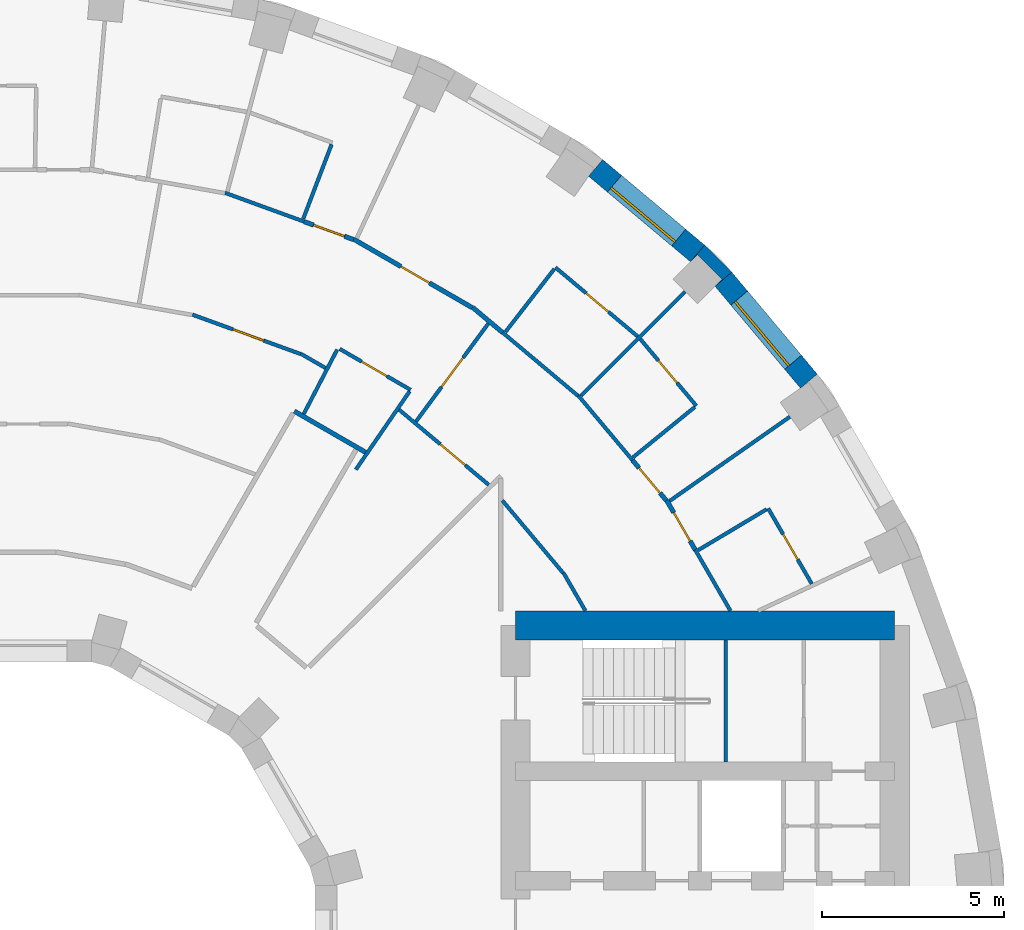
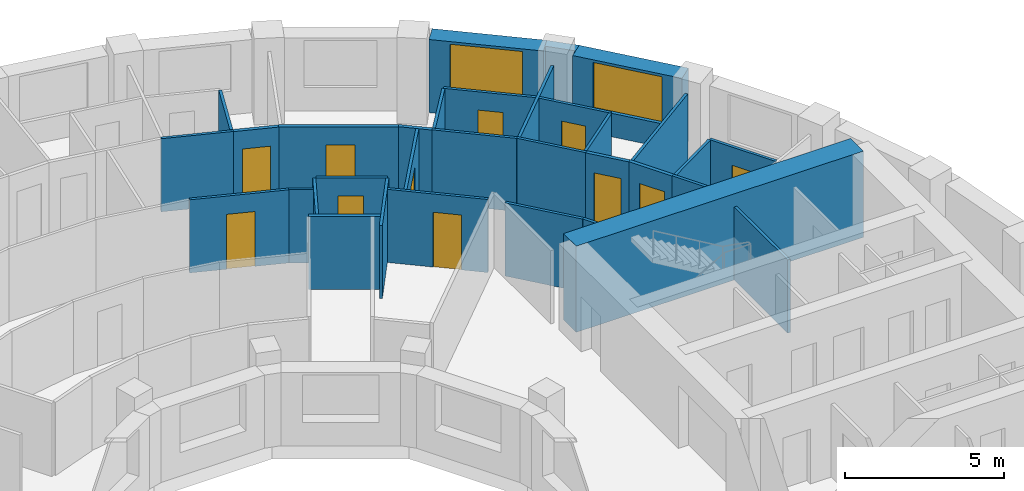
# One storey, part 12 of 14: 33 walls, 11 doors, 2 windows, 13 openings.
"""IFC4 building model written with IfcOpenShell, lengths in metres."""

from ifc_helpers import new_model, si_unit, direction, frame, frame_2d, origin, place, context, subcontext, project, spatial, polyline, rectangle, outline, extrude, material, layer, layer_set, type_object, element, fill, save


model = new_model("IFC4")

# Units and contexts
model_context = context("Model", 3, precision=1e-05, world=origin(), true_north=direction((0.0, 1.0)))
body_context = subcontext(model_context, "Body", "Model", "MODEL_VIEW")
ifc_project = project(units=[si_unit("LENGTHUNIT", "METRE"), si_unit("AREAUNIT", "SQUARE_METRE"), si_unit("VOLUMEUNIT", "CUBIC_METRE"), si_unit("PLANEANGLEUNIT", "RADIAN"), si_unit("MASSUNIT", "GRAM", prefix="KILO")], contexts=[model_context])

# Site, building, storey
site_placement = place(None, origin())
site = spatial("IfcSite", under=ifc_project, at=site_placement, CompositionType="ELEMENT")
building_placement = place(site_placement, origin())
building = spatial("IfcBuilding", under=site, at=building_placement, Name="Saqina Gate Tower", CompositionType="ELEMENT")
storey_placement = place(building_placement, frame((0.0, 0.0, 95.199951171875)))
storey = spatial("IfcBuildingStorey", under=building, at=storey_placement, Name="L26", CompositionType="ELEMENT", Elevation=95.199951171875)

# Wall
ifc_material_1 = material(Name="Brick masonry (buff)", Category="masonry")
wall_type_1 = type_object("IfcWallType", Name="BRICK PIER COPING BUFF", PredefinedType="SOLIDWALL", material=ifc_material_1)
wall_1_placement = place(storey_placement, origin())
element("IfcWall", 1, at=wall_1_placement, inside=storey, type_object=wall_type_1, Name="Pier cap L26 column 5", PredefinedType="SOLIDWALL", context=body_context, shape_type="SweptSolid", body=[
    extrude(outline(polyline([(19.43212890625, 18.686279296875), (18.686279296875, 19.43212890625), (18.30078125, 18.972412109375), (18.49072265625, 19.16259765625), (19.16259765625, 18.49072265625), (18.972412109375, 18.30078125), (19.43212890625, 18.686279296875)])), origin(), (0.0, 0.0, 1.0), 2.800048828125),
])

# Wall, opening, window
ifc_material_2 = material(Name="Brick masonry (buff)", Category="masonry")
ifc_layer_1 = layer(ifc_material_2, 0.60009765625)
ifc_layer_set_1 = layer_set([ifc_layer_1], Name="FW-BRICK-BUFF")
wall_type_2 = type_object("IfcWallType", Name="FW-BRICK-BUFF", PredefinedType="SOLIDWALL", material=ifc_layer_set_1)
wall_2_placement = place(storey_placement, frame((21.547119140625, 15.69921875, 0.0), z_axis=(0.0, 0.0, 1.0), x_axis=(-0.642774476932, 0.766055462616, 0.0)))
wall_2 = element("IfcWall", 2, at=wall_2_placement, inside=storey, type_object=wall_type_2, Name="Facade wall L26 facet 4", PredefinedType="SOLIDWALL", context=body_context, shape_type="SweptSolid", body=[
    extrude(rectangle(XDim=3.647705078125, YDim=0.60009765625, at=frame_2d((1.82373046875, 0.0))), origin(), (0.0, 0.0, 1.0), 2.800048828125),
])
opening_1_placement = place(wall_2_placement, frame((0.673828125, 0.0, 0.89990234375)))
opening_1 = element("IfcOpeningElement", 3, at=opening_1_placement, cuts=wall_2, Name="Opening G07-W02", PredefinedType="OPENING", context=body_context, shape_type="SweptSolid", body=[
    extrude(rectangle(XDim=2.300048828125, YDim=1.800048828125, at=frame_2d((1.14990234375, 0.89990234375))), frame((0.0, 0.31201171875, 0.0), z_axis=(0.0, -1.0, 0.0), x_axis=(1.0, 0.0, 0.0)), (0.0, 0.0, 1.0), 0.6240234375),
])
ifc_material_3 = material(Name="Aluminium glazing", Category="aluminium")
window_type = type_object("IfcWindowType", Name="WN-B", PartitioningType="SINGLE_PANEL", PredefinedType="WINDOW", material=ifc_material_3)
window_1_placement = place(opening_1_placement, origin())
window_1 = element("IfcWindow", 4, at=window_1_placement, inside=storey, type_object=window_type, Name="Window L26 facet 4", OverallHeight=1.800048828125, OverallWidth=2.300048828125, PartitioningType="SINGLE_PANEL", PredefinedType="WINDOW", context=body_context, shape_type="SweptSolid", body=[
    extrude(rectangle(XDim=2.300048828125, YDim=1.800048828125, at=frame_2d((1.14990234375, 0.89990234375))), frame((0.0, 0.179931640625, 0.0), z_axis=(0.0, -1.0, 0.0), x_axis=(1.0, 0.0, 0.0)), (0.0, 0.0, 1.0), 0.06005859375),
])
fill(opening_1, window_1)

wall_3_placement = place(storey_placement, frame((18.49365234375, 19.202392578125, 0.0), z_axis=(0.0, 0.0, 1.0), x_axis=(-0.766055462616, 0.642774476932, 0.0)))
wall_3 = element("IfcWall", 5, at=wall_3_placement, inside=storey, type_object=wall_type_2, Name="Facade wall L26 facet 5", PredefinedType="SOLIDWALL", context=body_context, shape_type="SweptSolid", body=[
    extrude(rectangle(XDim=3.647705078125, YDim=0.60009765625, at=frame_2d((1.82373046875, 0.0))), origin(), (0.0, 0.0, 1.0), 2.800048828125),
])
opening_2_placement = place(wall_3_placement, frame((0.673828125, 0.0, 0.89990234375)))
opening_2 = element("IfcOpeningElement", 6, at=opening_2_placement, cuts=wall_3, Name="Opening G07-W03", PredefinedType="OPENING", context=body_context, shape_type="SweptSolid", body=[
    extrude(rectangle(XDim=2.300048828125, YDim=1.800048828125, at=frame_2d((1.14990234375, 0.89990234375))), frame((0.0, 0.31201171875, 0.0), z_axis=(0.0, -1.0, 0.0), x_axis=(1.0, 0.0, 0.0)), (0.0, 0.0, 1.0), 0.6240234375),
])
window_2_placement = place(opening_2_placement, origin())
window_2 = element("IfcWindow", 7, at=window_2_placement, inside=storey, type_object=window_type, Name="Window L26 facet 5", OverallHeight=1.800048828125, OverallWidth=2.300048828125, PartitioningType="SINGLE_PANEL", PredefinedType="WINDOW", context=body_context, shape_type="SweptSolid", body=[
    extrude(rectangle(XDim=2.300048828125, YDim=1.800048828125, at=frame_2d((1.14990234375, 0.89990234375))), frame((0.0, 0.179931640625, 0.0), z_axis=(0.0, -1.0, 0.0), x_axis=(1.0, 0.0, 0.0)), (0.0, 0.0, 1.0), 0.06005859375),
])
fill(opening_2, window_2)

# Walls
ifc_material_4 = material(Name="Gypsum board on steel studs, 100 mm", Category="steel")
ifc_layer_2 = layer(ifc_material_4, 0.10009765625)
ifc_layer_set_2 = layer_set([ifc_layer_2], Name="PARTITION 100")
wall_type_3 = type_object("IfcWallType", Name="PARTITION 100", PredefinedType="PARTITIONING", material=ifc_layer_set_2)
wall_4_placement = place(storey_placement, frame((14.818603515625, 10.43798828125, 0.0), z_axis=(0.0, 0.0, 1.0), x_axis=(0.500016292001, -0.866015997389, 0.0)))
element("IfcWall", 8, at=wall_4_placement, inside=storey, type_object=wall_type_3, Name="PARTITION PW3-11", PredefinedType="PARTITIONING", context=body_context, shape_type="SweptSolid", body=[
    extrude(rectangle(XDim=1.19873046875, YDim=0.10009765625, at=frame_2d((0.599365234375, 0.0))), origin(), (0.0, 0.0, 1.0), 2.800048828125),
])
wall_5_placement = place(storey_placement, frame((18.429931640625, 11.072265625, 0.0), z_axis=(0.0, 0.0, 1.0), x_axis=(0.500203884267, -0.865907659144, 0.0)))
element("IfcWall", 9, at=wall_5_placement, inside=storey, type_object=wall_type_3, Name="PARTITION PW3-12", PredefinedType="PARTITIONING", context=body_context, shape_type="SweptSolid", body=[
    extrude(rectangle(XDim=1.931396484375, YDim=0.10009765625, at=frame_2d((0.9658203125, 0.0))), origin(), (0.0, 0.0, 1.0), 2.800048828125),
])

# Wall, opening, door
wall_6_placement = place(storey_placement, frame((20.429931640625, 12.208984375, 0.0), z_axis=(0.0, 0.0, 1.0), x_axis=(0.500061428766, -0.865989934965, 0.0)))
wall_6 = element("IfcWall", 10, at=wall_6_placement, inside=storey, type_object=wall_type_3, Name="PARTITION PW3-13", PredefinedType="PARTITIONING", context=body_context, shape_type="SweptSolid", body=[
    extrude(rectangle(XDim=2.389892578125, YDim=0.10009765625, at=frame_2d((1.19482421875, 0.0))), origin(), (0.0, 0.0, 1.0), 2.800048828125),
])
opening_3_placement = place(wall_6_placement, frame((0.820068359375, 0.0, 0.0)))
opening_3 = element("IfcOpeningElement", 11, at=opening_3_placement, cuts=wall_6, Name="Opening G07-D01", PredefinedType="OPENING", context=body_context, shape_type="SweptSolid", body=[
    extrude(rectangle(XDim=0.800048828125, YDim=2.10009765625, at=frame_2d((0.39990234375, 1.050048828125))), frame((0.0, 0.06201171875, 0.0), z_axis=(0.0, -1.0, 0.0), x_axis=(1.0, 0.0, 0.0)), (0.0, 0.0, 1.0), 0.1240234375),
])
ifc_material_5 = material(Name="Timber door leaf, 800 mm", Category="wood")
door_type_1 = type_object("IfcDoorType", Name="DOOR 800 TIMBER", OperationType="SINGLE_SWING_LEFT", PredefinedType="DOOR", material=ifc_material_5)
door_1_placement = place(opening_3_placement, origin())
door_1 = element("IfcDoor", 12, at=door_1_placement, inside=storey, type_object=door_type_1, Name="DOOR G07-D01", OperationType="SINGLE_SWING_RIGHT", OverallHeight=2.10009765625, OverallWidth=0.800048828125, PredefinedType="DOOR", context=body_context, shape_type="SweptSolid", body=[
    extrude(rectangle(XDim=0.800048828125, YDim=2.10009765625, at=frame_2d((0.39990234375, 1.050048828125))), frame((0.0, 0.02490234375, 0.0), z_axis=(0.0, -1.0, 0.0), x_axis=(1.0, 0.0, 0.0)), (0.0, 0.0, 1.0), 0.050048828125),
])
fill(opening_3, door_1)

# Walls
wall_7_placement = place(storey_placement, frame((13.14013671875, 12.425048828125, 0.0), z_axis=(0.0, 0.0, 1.0), x_axis=(0.642692247105, -0.766124451712, 0.0)))
element("IfcWall", 13, at=wall_7_placement, inside=storey, type_object=wall_type_3, Name="PARTITION PW3-19", PredefinedType="PARTITIONING", context=body_context, shape_type="SweptSolid", body=[
    extrude(rectangle(XDim=2.60107421875, YDim=0.10009765625, at=frame_2d((1.300537109375, 0.0))), origin(), (0.0, 0.0, 1.0), 2.800048828125),
])
wall_8_placement = place(storey_placement, frame((15.2255859375, 15.298828125, 0.0), z_axis=(0.0, 0.0, 1.0), x_axis=(0.642762571273, -0.766065452145, 0.0)))
element("IfcWall", 14, at=wall_8_placement, inside=storey, type_object=wall_type_3, Name="PARTITION PW3-20", PredefinedType="PARTITIONING", context=body_context, shape_type="SweptSolid", body=[
    extrude(rectangle(XDim=2.306640625, YDim=0.10009765625, at=frame_2d((1.1533203125, 0.0))), origin(), (0.0, 0.0, 1.0), 2.800048828125),
])

# Wall, opening, door
wall_9_placement = place(storey_placement, frame((16.923095703125, 16.852783203125, 0.0), z_axis=(0.0, 0.0, 1.0), x_axis=(0.642942941421, -0.765914077477, 0.0)))
wall_9 = element("IfcWall", 15, at=wall_9_placement, inside=storey, type_object=wall_type_3, Name="PARTITION PW3-21", PredefinedType="PARTITIONING", context=body_context, shape_type="SweptSolid", body=[
    extrude(rectangle(XDim=2.390380859375, YDim=0.10009765625, at=frame_2d((1.1953125, 0.0))), origin(), (0.0, 0.0, 1.0), 2.800048828125),
])
opening_4_placement = place(wall_9_placement, frame((0.77001953125, 0.0, 0.0)))
opening_4 = element("IfcOpeningElement", 16, at=opening_4_placement, cuts=wall_9, Name="Opening G07-D04", PredefinedType="OPENING", context=body_context, shape_type="SweptSolid", body=[
    extrude(rectangle(XDim=0.800048828125, YDim=2.10009765625, at=frame_2d((0.39990234375, 1.050048828125))), frame((0.0, 0.06201171875, 0.0), z_axis=(0.0, -1.0, 0.0), x_axis=(1.0, 0.0, 0.0)), (0.0, 0.0, 1.0), 0.1240234375),
])
door_2_placement = place(opening_4_placement, origin())
door_2 = element("IfcDoor", 17, at=door_2_placement, inside=storey, type_object=door_type_1, Name="DOOR G07-D04", OperationType="SINGLE_SWING_LEFT", OverallHeight=2.10009765625, OverallWidth=0.800048828125, PredefinedType="DOOR", context=body_context, shape_type="SweptSolid", body=[
    extrude(rectangle(XDim=0.800048828125, YDim=2.10009765625, at=frame_2d((0.39990234375, 1.050048828125))), frame((0.0, 0.02490234375, 0.0), z_axis=(0.0, -1.0, 0.0), x_axis=(1.0, 0.0, 0.0)), (0.0, 0.0, 1.0), 0.050048828125),
])
fill(opening_4, door_2)

wall_10_placement = place(storey_placement, frame((10.310791015625, 14.91357421875, 0.0), z_axis=(0.0, 0.0, 1.0), x_axis=(0.766187913062, -0.642616590104, 0.0)))
wall_10 = element("IfcWall", 18, at=wall_10_placement, inside=storey, type_object=wall_type_3, Name="PARTITION PW3-26", PredefinedType="PARTITIONING", context=body_context, shape_type="SweptSolid", body=[
    extrude(rectangle(XDim=3.20458984375, YDim=0.10009765625, at=frame_2d((1.602294921875, 0.0))), origin(), (0.0, 0.0, 1.0), 2.800048828125),
])
opening_5_placement = place(wall_10_placement, frame((1.465576171875, 0.0, 0.0)))
opening_5 = element("IfcOpeningElement", 19, at=opening_5_placement, cuts=wall_10, Name="Opening G07-D06", PredefinedType="OPENING", context=body_context, shape_type="SweptSolid", body=[
    extrude(rectangle(XDim=0.89990234375, YDim=2.10009765625, at=frame_2d((0.449951171875, 1.050048828125))), frame((0.0, 0.06201171875, 0.0), z_axis=(0.0, -1.0, 0.0), x_axis=(1.0, 0.0, 0.0)), (0.0, 0.0, 1.0), 0.1240234375),
])
ifc_material_6 = material(Name="Timber door leaf, 900 mm", Category="wood")
door_type_2 = type_object("IfcDoorType", Name="DOOR 900 TIMBER", OperationType="SINGLE_SWING_LEFT", PredefinedType="DOOR", material=ifc_material_6)
door_3_placement = place(opening_5_placement, origin())
door_3 = element("IfcDoor", 20, at=door_3_placement, inside=storey, type_object=door_type_2, Name="DOOR G07-D06", OperationType="SINGLE_SWING_RIGHT", OverallHeight=2.10009765625, OverallWidth=0.89990234375, PredefinedType="DOOR", context=body_context, shape_type="SweptSolid", body=[
    extrude(rectangle(XDim=0.89990234375, YDim=2.10009765625, at=frame_2d((0.449951171875, 1.050048828125))), frame((0.0, 0.02490234375, 0.0), z_axis=(0.0, -1.0, 0.0), x_axis=(1.0, 0.0, 0.0)), (0.0, 0.0, 1.0), 0.050048828125),
])
fill(opening_5, door_3)

# Wall
wall_11_placement = place(storey_placement, frame((13.148681640625, 17.030029296875, 0.0), z_axis=(0.0, 0.0, 1.0), x_axis=(0.766003631775, -0.642836243617, 0.0)))
element("IfcWall", 21, at=wall_11_placement, inside=storey, type_object=wall_type_3, Name="PARTITION PW3-27", PredefinedType="PARTITIONING", context=body_context, shape_type="SweptSolid", body=[
    extrude(rectangle(XDim=2.70361328125, YDim=0.10009765625, at=frame_2d((1.351806640625, 0.0))), origin(), (0.0, 0.0, 1.0), 2.800048828125),
])

# Wall, opening, door
wall_12_placement = place(storey_placement, frame((14.596923828125, 18.81591796875, 0.0), z_axis=(0.0, 0.0, 1.0), x_axis=(0.766055897741, -0.642773958353, 0.0)))
wall_12 = element("IfcWall", 22, at=wall_12_placement, inside=storey, type_object=wall_type_3, Name="PARTITION PW3-28", PredefinedType="PARTITIONING", context=body_context, shape_type="SweptSolid", body=[
    extrude(rectangle(XDim=2.94482421875, YDim=0.10009765625, at=frame_2d((1.472412109375, 0.0))), origin(), (0.0, 0.0, 1.0), 2.800048828125),
])
opening_6_placement = place(wall_12_placement, frame((1.097412109375, 0.0, 0.0)))
opening_6 = element("IfcOpeningElement", 23, at=opening_6_placement, cuts=wall_12, Name="Opening G07-D05", PredefinedType="OPENING", context=body_context, shape_type="SweptSolid", body=[
    extrude(rectangle(XDim=0.800048828125, YDim=2.10009765625, at=frame_2d((0.39990234375, 1.050048828125))), frame((0.0, 0.06201171875, 0.0), z_axis=(0.0, -1.0, 0.0), x_axis=(1.0, 0.0, 0.0)), (0.0, 0.0, 1.0), 0.1240234375),
])
door_4_placement = place(opening_6_placement, origin())
door_4 = element("IfcDoor", 24, at=door_4_placement, inside=storey, type_object=door_type_1, Name="DOOR G07-D05", OperationType="SINGLE_SWING_RIGHT", OverallHeight=2.10009765625, OverallWidth=0.800048828125, PredefinedType="DOOR", context=body_context, shape_type="SweptSolid", body=[
    extrude(rectangle(XDim=0.800048828125, YDim=2.10009765625, at=frame_2d((0.39990234375, 1.050048828125))), frame((0.0, 0.02490234375, 0.0), z_axis=(0.0, -1.0, 0.0), x_axis=(1.0, 0.0, 0.0)), (0.0, 0.0, 1.0), 0.050048828125),
])
fill(opening_6, door_4)

# Wall
wall_13_placement = place(storey_placement, frame((7.61376953125, 16.448974609375, 0.0), z_axis=(0.0, 0.0, 1.0), x_axis=(0.866201164306, -0.499695450205, 0.0)))
element("IfcWall", 25, at=wall_13_placement, inside=storey, type_object=wall_type_3, Name="PARTITION PW3-34", PredefinedType="PARTITIONING", context=body_context, shape_type="SweptSolid", body=[
    extrude(rectangle(XDim=0.78271484375, YDim=0.10009765625, at=frame_2d((0.391357421875, 0.0))), origin(), (0.0, 0.0, 1.0), 2.800048828125),
])

# Wall, opening, door
wall_14_placement = place(storey_placement, frame((8.678955078125, 16.58203125, 0.0), z_axis=(0.0, 0.0, 1.0), x_axis=(0.866122264928, -0.499832194037, 0.0)))
wall_14 = element("IfcWall", 26, at=wall_14_placement, inside=storey, type_object=wall_type_3, Name="PARTITION PW3-35", PredefinedType="PARTITIONING", context=body_context, shape_type="SweptSolid", body=[
    extrude(rectangle(XDim=2.246826171875, YDim=0.10009765625, at=frame_2d((1.12353515625, 0.0))), origin(), (0.0, 0.0, 1.0), 2.800048828125),
])
opening_7_placement = place(wall_14_placement, frame((0.697509765625, 0.0, 0.0)))
opening_7 = element("IfcOpeningElement", 27, at=opening_7_placement, cuts=wall_14, Name="Opening G07-D08", PredefinedType="OPENING", context=body_context, shape_type="SweptSolid", body=[
    extrude(rectangle(XDim=0.800048828125, YDim=2.10009765625, at=frame_2d((0.39990234375, 1.050048828125))), frame((0.0, 0.06201171875, 0.0), z_axis=(0.0, -1.0, 0.0), x_axis=(1.0, 0.0, 0.0)), (0.0, 0.0, 1.0), 0.1240234375),
])
door_5_placement = place(opening_7_placement, origin())
door_5 = element("IfcDoor", 28, at=door_5_placement, inside=storey, type_object=door_type_1, Name="DOOR G07-D08", OperationType="SINGLE_SWING_LEFT", OverallHeight=2.10009765625, OverallWidth=0.800048828125, PredefinedType="DOOR", context=body_context, shape_type="SweptSolid", body=[
    extrude(rectangle(XDim=0.800048828125, YDim=2.10009765625, at=frame_2d((0.39990234375, 1.050048828125))), frame((0.0, 0.02490234375, 0.0), z_axis=(0.0, -1.0, 0.0), x_axis=(1.0, 0.0, 0.0)), (0.0, 0.0, 1.0), 0.050048828125),
])
fill(opening_7, door_5)

wall_15_placement = place(storey_placement, frame((4.642333984375, 17.521240234375, 0.0), z_axis=(0.0, 0.0, 1.0), x_axis=(0.939739258447, -0.341891980211, 0.0)))
wall_15 = element("IfcWall", 29, at=wall_15_placement, inside=storey, type_object=wall_type_3, Name="PARTITION PW3-40", PredefinedType="PARTITIONING", context=body_context, shape_type="SweptSolid", body=[
    extrude(rectangle(XDim=3.1591796875, YDim=0.10009765625, at=frame_2d((1.57958984375, 0.0))), origin(), (0.0, 0.0, 1.0), 2.800048828125),
])
opening_8_placement = place(wall_15_placement, frame((1.179931640625, 0.0, 0.0)))
opening_8 = element("IfcOpeningElement", 30, at=opening_8_placement, cuts=wall_15, Name="Opening G07-D11", PredefinedType="OPENING", context=body_context, shape_type="SweptSolid", body=[
    extrude(rectangle(XDim=0.89990234375, YDim=2.10009765625, at=frame_2d((0.449951171875, 1.050048828125))), frame((0.0, 0.06201171875, 0.0), z_axis=(0.0, -1.0, 0.0), x_axis=(1.0, 0.0, 0.0)), (0.0, 0.0, 1.0), 0.1240234375),
])
door_6_placement = place(opening_8_placement, frame((0.89990234375, 0.0, 0.0), z_axis=(0.0, 0.0, 1.0), x_axis=(-1.0, 0.0, 0.0)))
door_6 = element("IfcDoor", 31, at=door_6_placement, inside=storey, type_object=door_type_2, Name="DOOR G07-D11", OperationType="SINGLE_SWING_LEFT", OverallHeight=2.10009765625, OverallWidth=0.89990234375, PredefinedType="DOOR", context=body_context, shape_type="SweptSolid", body=[
    extrude(rectangle(XDim=0.89990234375, YDim=2.10009765625, at=frame_2d((0.449951171875, 1.050048828125))), frame((0.0, 0.02490234375, 0.0), z_axis=(0.0, -1.0, 0.0), x_axis=(1.0, 0.0, 0.0)), (0.0, 0.0, 1.0), 0.050048828125),
])
fill(opening_8, door_6)

# Walls
wall_16_placement = place(storey_placement, frame((5.537353515625, 20.861328125, 0.0), z_axis=(0.0, 0.0, 1.0), x_axis=(0.939734670151, -0.34190459154, 0.0)))
element("IfcWall", 32, at=wall_16_placement, inside=storey, type_object=wall_type_3, Name="PARTITION PW3-41", PredefinedType="PARTITIONING", context=body_context, shape_type="SweptSolid", body=[
    extrude(rectangle(XDim=2.3056640625, YDim=0.10009765625, at=frame_2d((1.15283203125, 0.0))), origin(), (0.0, 0.0, 1.0), 2.800048828125),
])
wall_17_placement = place(storey_placement, frame((18.508544921875, 11.06103515625, 0.0), z_axis=(0.0, 0.0, 1.0), x_axis=(0.85844638645, 0.512903306279, 0.0)))
element("IfcWall", 33, at=wall_17_placement, inside=storey, type_object=wall_type_3, Name="PARTITION PW3-74", PredefinedType="PARTITIONING", context=body_context, shape_type="SweptSolid", body=[
    extrude(rectangle(XDim=2.188232421875, YDim=0.10009765625, at=frame_2d((1.09423828125, 0.0))), origin(), (0.0, 0.0, 1.0), 2.800048828125),
])
wall_18_placement = place(storey_placement, frame((17.728271484375, 12.412841796875, 0.0), z_axis=(0.0, 0.0, 1.0), x_axis=(0.819106461113, 0.573641530368, 0.0)))
element("IfcWall", 34, at=wall_18_placement, inside=storey, type_object=wall_type_3, Name="PARTITION PW3-75", PredefinedType="PARTITIONING", context=body_context, shape_type="SweptSolid", body=[
    extrude(rectangle(XDim=4.023193359375, YDim=0.10009765625, at=frame_2d((2.01171875, 0.0))), origin(), (0.0, 0.0, 1.0), 2.800048828125),
])
wall_19_placement = place(storey_placement, frame((16.724365234375, 13.609375, 0.0), z_axis=(0.0, 0.0, 1.0), x_axis=(0.77556073315, 0.631272959342, 0.0)))
element("IfcWall", 35, at=wall_19_placement, inside=storey, type_object=wall_type_3, Name="PARTITION PW3-77", PredefinedType="PARTITIONING", context=body_context, shape_type="SweptSolid", body=[
    extrude(rectangle(XDim=2.187744140625, YDim=0.10009765625, at=frame_2d((1.09375, 0.0))), origin(), (0.0, 0.0, 1.0), 2.800048828125),
])
wall_20_placement = place(storey_placement, frame((15.29443359375, 15.29443359375, 0.0), z_axis=(0.0, 0.0, 1.0), x_axis=(0.707106781187, 0.707106781187, 0.0)))
element("IfcWall", 36, at=wall_20_placement, inside=storey, type_object=wall_type_3, Name="PARTITION PW3-80", PredefinedType="PARTITIONING", context=body_context, shape_type="SweptSolid", body=[
    extrude(rectangle(XDim=4.035400390625, YDim=0.10009765625, at=frame_2d((2.017578125, 0.0))), origin(), (0.0, 0.0, 1.0), 2.800048828125),
])
wall_21_placement = place(storey_placement, frame((13.225341796875, 17.04736328125, 0.0), z_axis=(0.0, 0.0, 1.0), x_axis=(0.612827784587, 0.790216493398, 0.0)))
element("IfcWall", 37, at=wall_21_placement, inside=storey, type_object=wall_type_3, Name="PARTITION PW3-83", PredefinedType="PARTITIONING", context=body_context, shape_type="SweptSolid", body=[
    extrude(rectangle(XDim=2.188232421875, YDim=0.10009765625, at=frame_2d((1.09423828125, 0.0))), origin(), (0.0, 0.0, 1.0), 2.800048828125),
])

# Wall, opening, door
wall_22_placement = place(storey_placement, frame((10.772705078125, 14.59130859375, 0.0), z_axis=(0.0, 0.0, 1.0), x_axis=(0.593899624956, 0.804539144776, 0.0)))
wall_22 = element("IfcWall", 38, at=wall_22_placement, inside=storey, type_object=wall_type_3, Name="PARTITION PW3-84", PredefinedType="PARTITIONING", context=body_context, shape_type="SweptSolid", body=[
    extrude(rectangle(XDim=3.339111328125, YDim=0.10009765625, at=frame_2d((1.66943359375, 0.0))), origin(), (0.0, 0.0, 1.0), 2.800048828125),
])
opening_9_placement = place(wall_22_placement, frame((1.17578125, 0.0, 0.0)))
opening_9 = element("IfcOpeningElement", 39, at=opening_9_placement, cuts=wall_22, Name="Opening G07-D07", PredefinedType="OPENING", context=body_context, shape_type="SweptSolid", body=[
    extrude(rectangle(XDim=1.0, YDim=2.10009765625, at=frame_2d((0.5, 1.050048828125))), frame((0.0, 0.06201171875, 0.0), z_axis=(0.0, -1.0, 0.0), x_axis=(1.0, 0.0, 0.0)), (0.0, 0.0, 1.0), 0.1240234375),
])
ifc_material_7 = material(Name="Timber door leaf, 1000 mm", Category="wood")
door_type_3 = type_object("IfcDoorType", Name="DOOR 1000 TIMBER", OperationType="SINGLE_SWING_LEFT", PredefinedType="DOOR", material=ifc_material_7)
door_7_placement = place(opening_9_placement, frame((1.0, 0.0, 0.0), z_axis=(0.0, 0.0, 1.0), x_axis=(-1.0, 0.0, 0.0)))
door_7 = element("IfcDoor", 40, at=door_7_placement, inside=storey, type_object=door_type_3, Name="DOOR G07-D07", OperationType="SINGLE_SWING_LEFT", OverallHeight=2.10009765625, OverallWidth=1.0, PredefinedType="DOOR", context=body_context, shape_type="SweptSolid", body=[
    extrude(rectangle(XDim=1.0, YDim=2.10009765625, at=frame_2d((0.5, 1.050048828125))), frame((0.0, 0.02490234375, 0.0), z_axis=(0.0, -1.0, 0.0), x_axis=(1.0, 0.0, 0.0)), (0.0, 0.0, 1.0), 0.050048828125),
])
fill(opening_9, door_7)

# Walls
wall_23_placement = place(storey_placement, frame((9.122314453125, 13.2724609375, 0.0), z_axis=(0.0, 0.0, 1.0), x_axis=(0.566405338298, 0.82412680623, 0.0)))
element("IfcWall", 41, at=wall_23_placement, inside=storey, type_object=wall_type_3, Name="PARTITION PW3-86", PredefinedType="PARTITIONING", context=body_context, shape_type="SweptSolid", body=[
    extrude(rectangle(XDim=2.601318359375, YDim=0.10009765625, at=frame_2d((1.30078125, 0.0))), origin(), (0.0, 0.0, 1.0), 2.800048828125),
])
wall_24_placement = place(storey_placement, frame((7.6943359375, 14.799560546875, 0.0), z_axis=(0.0, 0.0, 1.0), x_axis=(0.461012435149, 0.887393675117, 0.0)))
element("IfcWall", 42, at=wall_24_placement, inside=storey, type_object=wall_type_3, Name="PARTITION PW3-89", PredefinedType="PARTITIONING", context=body_context, shape_type="SweptSolid", body=[
    extrude(rectangle(XDim=1.988037109375, YDim=0.10009765625, at=frame_2d((0.994140625, 0.0))), origin(), (0.0, 0.0, 1.0), 2.800048828125),
])
wall_25_placement = place(storey_placement, frame((7.679443359375, 20.14892578125, 0.0), z_axis=(0.0, 0.0, 1.0), x_axis=(0.356134598474, 0.93443466747, 0.0)))
element("IfcWall", 43, at=wall_25_placement, inside=storey, type_object=wall_type_3, Name="PARTITION PW3-93", PredefinedType="PARTITIONING", context=body_context, shape_type="SweptSolid", body=[
    extrude(rectangle(XDim=2.186767578125, YDim=0.10009765625, at=frame_2d((1.09326171875, 0.0))), origin(), (0.0, 0.0, 1.0), 2.800048828125),
])

# Wall, opening, door
ifc_material_8 = material(Name="Gypsum board on steel studs, 125 mm, fire rated", Category="steel")
ifc_layer_3 = layer(ifc_material_8, 0.125)
ifc_layer_set_3 = layer_set([ifc_layer_3], Name="PARTITION EI 30 125")
wall_type_4 = type_object("IfcWallType", Name="PARTITION EI 30 125", PredefinedType="PARTITIONING", material=ifc_layer_set_3)
wall_26_placement = place(storey_placement, frame((17.645263671875, 12.431884765625, 0.0), z_axis=(0.0, 0.0, 1.0), x_axis=(0.499852597388, -0.866110489998, 0.0)))
wall_26 = element("IfcWall", 44, at=wall_26_placement, inside=storey, type_object=wall_type_4, Name="PARTITION PW1-05", PredefinedType="PARTITIONING", context=body_context, shape_type="SweptSolid", body=[
    extrude(rectangle(XDim=1.56982421875, YDim=0.125, at=frame_2d((0.784912109375, 0.0))), origin(), (0.0, 0.0, 1.0), 2.800048828125),
])
opening_10_placement = place(wall_26_placement, frame((0.3916015625, 0.0, 0.0)))
opening_10 = element("IfcOpeningElement", 45, at=opening_10_placement, cuts=wall_26, Name="Opening G07-D02", PredefinedType="OPENING", context=body_context, shape_type="SweptSolid", body=[
    extrude(rectangle(XDim=0.89990234375, YDim=2.10009765625, at=frame_2d((0.449951171875, 1.050048828125))), frame((0.0, 0.074462890625, 0.0), z_axis=(0.0, -1.0, 0.0), x_axis=(1.0, 0.0, 0.0)), (0.0, 0.0, 1.0), 0.14892578125),
])
ifc_material_9 = material(Name="Fire door leaf EI 30, 900 mm")
door_type_4 = type_object("IfcDoorType", Name="DOOR 900 EI 30", OperationType="SINGLE_SWING_LEFT", PredefinedType="DOOR", material=ifc_material_9)
door_8_placement = place(opening_10_placement, frame((0.89990234375, 0.0, 0.0), z_axis=(0.0, 0.0, 1.0), x_axis=(-1.0, 0.0, 0.0)))
door_8 = element("IfcDoor", 46, at=door_8_placement, inside=storey, type_object=door_type_4, Name="DOOR G07-D02", OperationType="SINGLE_SWING_RIGHT", OverallHeight=2.10009765625, OverallWidth=0.89990234375, PredefinedType="DOOR", context=body_context, shape_type="SweptSolid", body=[
    extrude(rectangle(XDim=0.89990234375, YDim=2.10009765625, at=frame_2d((0.449951171875, 1.050048828125))), frame((0.0, 0.02490234375, 0.0), z_axis=(0.0, -1.0, 0.0), x_axis=(1.0, 0.0, 0.0)), (0.0, 0.0, 1.0), 0.050048828125),
])
fill(opening_10, door_8)

wall_27_placement = place(storey_placement, frame((16.708251953125, 13.53173828125, 0.0), z_axis=(0.0, 0.0, 1.0), x_axis=(0.642641061866, -0.766167387458, 0.0)))
wall_27 = element("IfcWall", 47, at=wall_27_placement, inside=storey, type_object=wall_type_4, Name="PARTITION PW1-08", PredefinedType="PARTITIONING", context=body_context, shape_type="SweptSolid", body=[
    extrude(rectangle(XDim=1.44482421875, YDim=0.125, at=frame_2d((0.722412109375, 0.0))), origin(), (0.0, 0.0, 1.0), 2.800048828125),
])
opening_11_placement = place(wall_27_placement, frame((0.27880859375, 0.0, 0.0)))
opening_11 = element("IfcOpeningElement", 48, at=opening_11_placement, cuts=wall_27, Name="Opening G07-D03", PredefinedType="OPENING", context=body_context, shape_type="SweptSolid", body=[
    extrude(rectangle(XDim=0.89990234375, YDim=2.10009765625, at=frame_2d((0.449951171875, 1.050048828125))), frame((0.0, 0.074462890625, 0.0), z_axis=(0.0, -1.0, 0.0), x_axis=(1.0, 0.0, 0.0)), (0.0, 0.0, 1.0), 0.14892578125),
])
door_9_placement = place(opening_11_placement, frame((0.89990234375, 0.0, 0.0), z_axis=(0.0, 0.0, 1.0), x_axis=(-1.0, 0.0, 0.0)))
door_9 = element("IfcDoor", 49, at=door_9_placement, inside=storey, type_object=door_type_4, Name="DOOR G07-D03", OperationType="SINGLE_SWING_LEFT", OverallHeight=2.10009765625, OverallWidth=0.89990234375, PredefinedType="DOOR", context=body_context, shape_type="SweptSolid", body=[
    extrude(rectangle(XDim=0.89990234375, YDim=2.10009765625, at=frame_2d((0.449951171875, 1.050048828125))), frame((0.0, 0.02490234375, 0.0), z_axis=(0.0, -1.0, 0.0), x_axis=(1.0, 0.0, 0.0)), (0.0, 0.0, 1.0), 0.050048828125),
])
fill(opening_11, door_9)

# Walls
wall_28_placement = place(storey_placement, frame((12.328369140625, 17.7177734375, 0.0), z_axis=(0.0, 0.0, 1.0), x_axis=(0.766311067441, -0.642469725292, 0.0)))
element("IfcWall", 50, at=wall_28_placement, inside=storey, type_object=wall_type_4, Name="PARTITION PW1-14", PredefinedType="PARTITIONING", context=body_context, shape_type="SweptSolid", body=[
    extrude(rectangle(XDim=1.070556640625, YDim=0.125, at=frame_2d((0.53515625, 0.0))), origin(), (0.0, 0.0, 1.0), 2.800048828125),
])
wall_29_placement = place(storey_placement, frame((7.435791015625, 14.875, 0.0), z_axis=(0.0, 0.0, 1.0), x_axis=(0.866028691075, -0.499994306202, 0.0)))
element("IfcWall", 51, at=wall_29_placement, inside=storey, type_object=wall_type_4, Name="PARTITION PW1-17", PredefinedType="PARTITIONING", context=body_context, shape_type="SweptSolid", body=[
    extrude(rectangle(XDim=2.25439453125, YDim=0.125, at=frame_2d((1.127197265625, 0.0))), origin(), (0.0, 0.0, 1.0), 2.800048828125),
])

# Wall, opening, door
wall_30_placement = place(storey_placement, frame((9.06494140625, 19.58984375, 0.0), z_axis=(0.0, 0.0, 1.0), x_axis=(0.865961876044, -0.500110017135, 0.0)))
wall_30 = element("IfcWall", 52, at=wall_30_placement, inside=storey, type_object=wall_type_4, Name="PARTITION PW1-18", PredefinedType="PARTITIONING", context=body_context, shape_type="SweptSolid", body=[
    extrude(rectangle(XDim=3.762451171875, YDim=0.125, at=frame_2d((1.88134765625, 0.0))), origin(), (0.0, 0.0, 1.0), 2.800048828125),
])
opening_12_placement = place(wall_30_placement, frame((1.493896484375, 0.0, 0.0)))
opening_12 = element("IfcOpeningElement", 53, at=opening_12_placement, cuts=wall_30, Name="Opening G07-D09", PredefinedType="OPENING", context=body_context, shape_type="SweptSolid", body=[
    extrude(rectangle(XDim=0.89990234375, YDim=2.10009765625, at=frame_2d((0.449951171875, 1.050048828125))), frame((0.0, 0.074462890625, 0.0), z_axis=(0.0, -1.0, 0.0), x_axis=(1.0, 0.0, 0.0)), (0.0, 0.0, 1.0), 0.14892578125),
])
door_10_placement = place(opening_12_placement, origin())
door_10 = element("IfcDoor", 54, at=door_10_placement, inside=storey, type_object=door_type_4, Name="DOOR G07-D09", OperationType="SINGLE_SWING_RIGHT", OverallHeight=2.10009765625, OverallWidth=0.89990234375, PredefinedType="DOOR", context=body_context, shape_type="SweptSolid", body=[
    extrude(rectangle(XDim=0.89990234375, YDim=2.10009765625, at=frame_2d((0.449951171875, 1.050048828125))), frame((0.0, 0.02490234375, 0.0), z_axis=(0.0, -1.0, 0.0), x_axis=(1.0, 0.0, 0.0)), (0.0, 0.0, 1.0), 0.050048828125),
])
fill(opening_12, door_10)

wall_31_placement = place(storey_placement, frame((7.7041015625, 20.072998046875, 0.0), z_axis=(0.0, 0.0, 1.0), x_axis=(0.939763804893, -0.341824503237, 0.0)))
wall_31 = element("IfcWall", 55, at=wall_31_placement, inside=storey, type_object=wall_type_4, Name="PARTITION PW1-22", PredefinedType="PARTITIONING", context=body_context, shape_type="SweptSolid", body=[
    extrude(rectangle(XDim=1.444091796875, YDim=0.125, at=frame_2d((0.72216796875, 0.0))), origin(), (0.0, 0.0, 1.0), 2.800048828125),
])
opening_13_placement = place(wall_31_placement, frame((0.2783203125, 0.0, 0.0)))
opening_13 = element("IfcOpeningElement", 56, at=opening_13_placement, cuts=wall_31, Name="Opening G07-D10", PredefinedType="OPENING", context=body_context, shape_type="SweptSolid", body=[
    extrude(rectangle(XDim=0.89990234375, YDim=2.10009765625, at=frame_2d((0.449951171875, 1.050048828125))), frame((0.0, 0.074462890625, 0.0), z_axis=(0.0, -1.0, 0.0), x_axis=(1.0, 0.0, 0.0)), (0.0, 0.0, 1.0), 0.14892578125),
])
door_11_placement = place(opening_13_placement, frame((0.89990234375, 0.0, 0.0), z_axis=(0.0, 0.0, 1.0), x_axis=(-1.0, 0.0, 0.0)))
door_11 = element("IfcDoor", 57, at=door_11_placement, inside=storey, type_object=door_type_4, Name="DOOR G07-D10", OperationType="SINGLE_SWING_LEFT", OverallHeight=2.10009765625, OverallWidth=0.89990234375, PredefinedType="DOOR", context=body_context, shape_type="SweptSolid", body=[
    extrude(rectangle(XDim=0.89990234375, YDim=2.10009765625, at=frame_2d((0.449951171875, 1.050048828125))), frame((0.0, 0.02490234375, 0.0), z_axis=(0.0, -1.0, 0.0), x_axis=(1.0, 0.0, 0.0)), (0.0, 0.0, 1.0), 0.050048828125),
])
fill(opening_13, door_11)

# Walls
ifc_material_10 = material(Name="Autoclaved aerated concrete block", Category="concrete")
ifc_layer_4 = layer(ifc_material_10, 0.10009765625)
ifc_layer_set_4 = layer_set([ifc_layer_4], Name="STAIR ENCLOSURE WALL")
wall_type_5 = type_object("IfcWallType", Name="STAIR ENCLOSURE WALL", PredefinedType="PARTITIONING", material=ifc_layer_set_4)
wall_32_placement = place(storey_placement, frame((19.27001953125, 5.25, 0.0), z_axis=(0.0, 0.0, 1.0), x_axis=(0.0, 1.0, 0.0)))
element("IfcWall", 58, at=wall_32_placement, inside=storey, type_object=wall_type_5, Name="L26-CP-E12", PredefinedType="PARTITIONING", context=body_context, shape_type="SweptSolid", body=[
    extrude(rectangle(XDim=3.35009765625, YDim=0.10009765625, at=frame_2d((1.675048828125, 0.0))), origin(), (0.0, 0.0, 1.0), 2.800048828125),
])
ifc_material_11 = material(Name="Concrete C70/85", Category="concrete")
ifc_layer_5 = layer(ifc_material_11, 0.800048828125)
ifc_layer_set_5 = layer_set([ifc_layer_5], Name="Concrete C70/85")
wall_type_6 = type_object("IfcWallType", Name="STR-CORE WALL-B-O", PredefinedType="SHEAR", material=ifc_layer_set_5)
wall_33_placement = place(storey_placement, frame((13.5, 9.0, 0.0), z_axis=(0.0, 0.0, 1.0), x_axis=(1.0, 0.0, 0.0)))
element("IfcWall", 59, at=wall_33_placement, inside=storey, type_object=wall_type_6, Name="CORE WALL L26 E-NE", PredefinedType="SHEAR", context=body_context, shape_type="SweptSolid", body=[
    extrude(rectangle(XDim=10.39990234375, YDim=0.800048828125, at=frame_2d((5.199951171875, 0.0))), origin(), (0.0, 0.0, 1.0), 3.300048828125),
])

save(model, "model.ifc")
